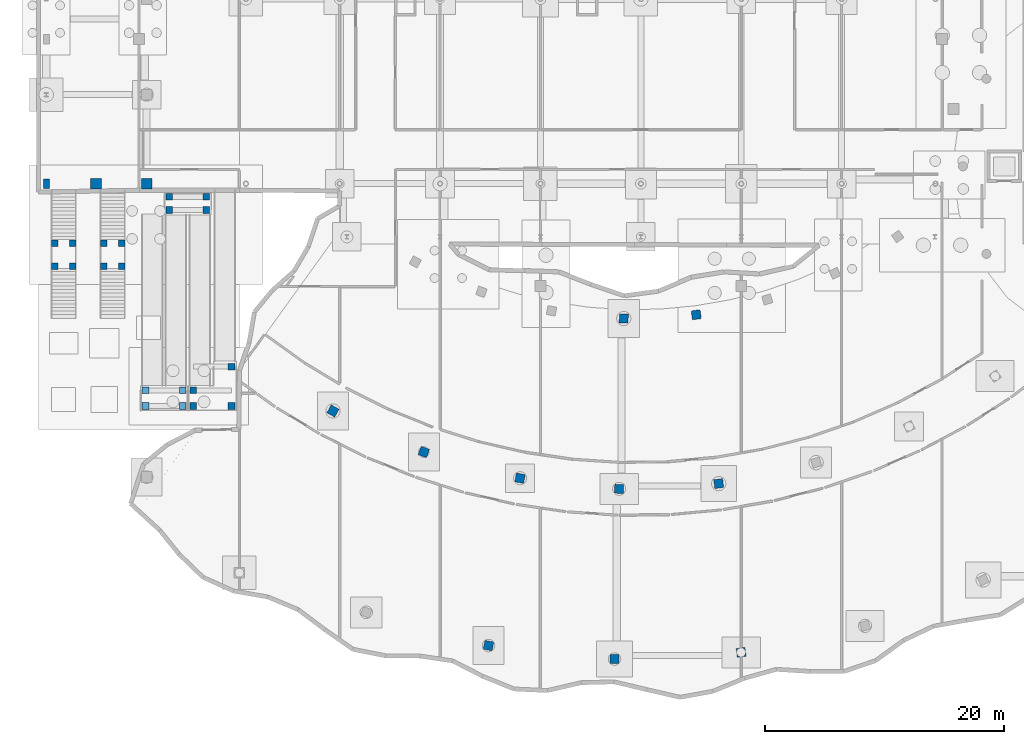
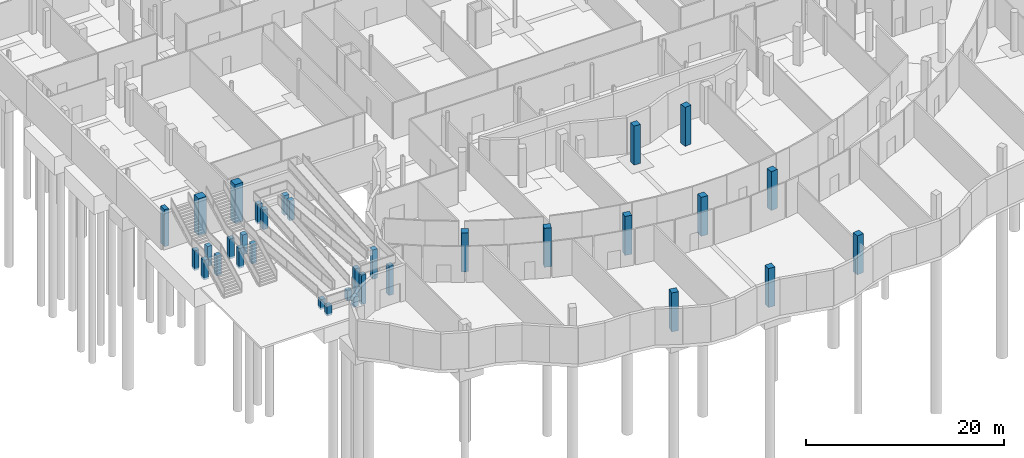
# One storey, part 10 of 45: 33 columns.
"""IFC4 building model written with IfcOpenShell, lengths in metres."""

from ifc_helpers import new_model, si_unit, direction, frame, origin, origin_2d, place, context, subcontext, project, spatial, rectangle, extrude, material, material_profile, profile_set, type_object, element, save


model = new_model("IFC4")

# Units and contexts
model_context = context("Model", 3, precision=1e-05, world=origin(), true_north=direction((0.0, 1.0)))
body_context = subcontext(model_context, "Body", "Model", "MODEL_VIEW")
ifc_project = project(units=[si_unit("LENGTHUNIT", "METRE"), si_unit("AREAUNIT", "SQUARE_METRE"), si_unit("VOLUMEUNIT", "CUBIC_METRE"), si_unit("PLANEANGLEUNIT", "RADIAN"), si_unit("MASSUNIT", "GRAM", prefix="KILO")], contexts=[model_context])

# Site, building, storey
site_placement = place(None, origin())
site = spatial("IfcSite", under=ifc_project, at=site_placement, CompositionType="ELEMENT")
building_placement = place(site_placement, origin())
building = spatial("IfcBuilding", under=site, at=building_placement, Name="Selatvlak General Hospital", CompositionType="ELEMENT")
storey_placement = place(building_placement, frame((0.0, 0.0, -4.800048828125)))
storey = spatial("IfcBuildingStorey", under=building, at=storey_placement, Name="B1", CompositionType="ELEMENT", Elevation=-4.800048828125)

# Columns
ifc_material_1 = material(Name="Concrete C40/50", Category="concrete")
ifc_material_profile_1 = material_profile(ifc_material_1, rectangle(XDim=0.550048828125, YDim=0.550048828125, at=origin_2d()), Name="RC-COL 550x550")
ifc_profile_set_1 = profile_set([ifc_material_profile_1], Name="Concrete C40/50")
column_type_1 = type_object("IfcColumnType", Name="COL-RC55", PredefinedType="COLUMN", material=ifc_profile_set_1)
for number, where, z_axis, x_axis, name in (
    (1, (7.35009765625, 45.64990234375, -0.244873046875), (0.0, 0.0, 1.0), (1.0, 0.0, 0.0), "Column 087 on B1"),
    (2, (8.85009765625, 45.64990234375, -0.244873046875), (0.0, 0.0, 1.0), (1.0, 0.0, 0.0), "Column 088 on B1"),
    (3, (7.35009765625, 47.550048828125, -0.244873046875), (0.0, 0.0, 1.0), (1.0, 0.0, 0.0), "Column 089 on B1"),
    (4, (8.85009765625, 47.550048828125, -0.244873046875), (0.0, 0.0, 1.0), (1.0, 0.0, 0.0), "Column 090 on B1"),
    (5, (11.449951171875, 45.64990234375, -0.244873046875), (0.0, 0.0, 1.0), (1.0, 0.0, 0.0), "Column 091 on B1"),
    (6, (12.949951171875, 45.64990234375, -0.244873046875), (0.0, 0.0, 1.0), (1.0, 0.0, 0.0), "Column 092 on B1"),
    (7, (11.449951171875, 47.550048828125, -0.244873046875), (0.0, 0.0, 1.0), (1.0, 0.0, 0.0), "Column 093 on B1"),
    (8, (12.949951171875, 47.550048828125, -0.244873046875), (0.0, 0.0, 1.0), (1.0, 0.0, 0.0), "Column 094 on B1"),
):
    element("IfcColumn", number, at=place(storey_placement, frame(where, z_axis=z_axis, x_axis=x_axis)), inside=storey, type_object=column_type_1, Name=name, PredefinedType="COLUMN", context=body_context, shape_type="SweptSolid", body=[
        extrude(rectangle(XDim=0.550048828125, YDim=0.550048828125, at=origin_2d()), origin(), (0.0, 0.0, 1.0), 2.44482421875),
    ])
for number, where, z_axis, x_axis, name in (
    (9, (14.949951171875, 33.949951171875, -0.244873046875), (0.0, 0.0, 1.0), (1.0, 0.0, 0.0), "Column 095 on B1"),
    (10, (18.050048828125, 33.949951171875, -0.244873046875), (0.0, 0.0, 1.0), (1.0, 0.0, 0.0), "Column 096 on B1"),
    (11, (14.949951171875, 35.25, -0.244873046875), (0.0, 0.0, 1.0), (1.0, 0.0, 0.0), "Column 097 on B1"),
    (12, (18.050048828125, 35.25, -0.244873046875), (0.0, 0.0, 1.0), (1.0, 0.0, 0.0), "Column 098 on B1"),
):
    element("IfcColumn", number, at=place(storey_placement, frame(where, z_axis=z_axis, x_axis=x_axis)), inside=storey, type_object=column_type_1, Name=name, PredefinedType="COLUMN", context=body_context, shape_type="SweptSolid", body=[
        extrude(rectangle(XDim=0.550048828125, YDim=0.550048828125, at=origin_2d()), origin(), (0.0, 0.0, 1.0), 1.224853515625),
    ])
for number, where, z_axis, x_axis, name in (
    (13, (16.949951171875, 50.35009765625, -0.244873046875), (0.0, 0.0, 1.0), (1.0, 0.0, 0.0), "Column 099 on B1"),
    (14, (20.050048828125, 50.35009765625, -0.244873046875), (0.0, 0.0, 1.0), (1.0, 0.0, 0.0), "Column 100 on B1"),
    (15, (16.949951171875, 51.449951171875, -0.244873046875), (0.0, 0.0, 1.0), (1.0, 0.0, 0.0), "Column 101 on B1"),
    (16, (20.050048828125, 51.449951171875, -0.244873046875), (0.0, 0.0, 1.0), (1.0, 0.0, 0.0), "Column 102 on B1"),
):
    element("IfcColumn", number, at=place(storey_placement, frame(where, z_axis=z_axis, x_axis=x_axis)), inside=storey, type_object=column_type_1, Name=name, PredefinedType="COLUMN", context=body_context, shape_type="SweptSolid", body=[
        extrude(rectangle(XDim=0.550048828125, YDim=0.550048828125, at=origin_2d()), origin(), (0.0, 0.0, 1.0), 2.4248046875),
    ])
for number, where, z_axis, x_axis, name in (
    (17, (18.949951171875, 33.949951171875, -0.244873046875), (0.0, 0.0, 1.0), (1.0, 0.0, 0.0), "Column 103 on B1"),
    (18, (22.14990234375, 33.949951171875, -0.244873046875), (0.0, 0.0, 1.0), (1.0, 0.0, 0.0), "Column 104 on B1"),
    (19, (18.949951171875, 35.25, -0.244873046875), (0.0, 0.0, 1.0), (1.0, 0.0, 0.0), "Column 105 on B1"),
    (20, (22.14990234375, 37.25, -0.244873046875), (0.0, 0.0, 1.0), (1.0, 0.0, 0.0), "Column 106 on B1"),
):
    element("IfcColumn", number, at=place(storey_placement, frame(where, z_axis=z_axis, x_axis=x_axis)), inside=storey, type_object=column_type_1, Name=name, PredefinedType="COLUMN", context=body_context, shape_type="SweptSolid", body=[
        extrude(rectangle(XDim=0.550048828125, YDim=0.550048828125, at=origin_2d()), origin(), (0.0, 0.0, 1.0), 3.625),
    ])
ifc_material_2 = material(Name="Concrete C50/60", Category="concrete")
ifc_material_profile_2 = material_profile(ifc_material_2, rectangle(XDim=0.75, YDim=0.75, at=origin_2d()), Name="RC-COL 750x750")
ifc_profile_set_2 = profile_set([ifc_material_profile_2], Name="Concrete C50/60")
column_type_2 = type_object("IfcColumnType", Name="COL-RC75", PredefinedType="COLUMN", material=ifc_profile_set_2)
for number, where, z_axis, x_axis, name in (
    (21, (30.637939453125, 33.531982421875, 0.0), (0.0, 0.0, 1.0), (0.483007324118, 0.875616311434, 0.0), "Column 315 on B1"),
    (22, (38.239013671875, 30.095947265625, 0.0), (0.0, 0.0, 1.0), (0.338261654325, 0.941052099096, 0.0), "Column 317 on B1"),
    (23, (46.2880859375, 27.906005859375, 0.0), (0.0, 0.0, 1.0), (0.184997729111, 0.982738948156, 0.0), "Column 320 on B1"),
    (24, (43.652099609375, 13.902099609375, 0.0), (0.0, 0.0, 1.0), (0.184997729111, 0.982738948156, 0.0), "Column 321 on B1"),
    (25, (54.968017578125, 41.262939453125, 0.0), (0.0, 0.0, 1.0), (0.027066750718, 0.999633628389, 0.0), "Column 322 on B1"),
    (26, (54.58203125, 27.01904296875, 0.0), (0.0, 0.0, 1.0), (0.027066750718, 0.999633628389, 0.0), "Column 323 on B1"),
    (27, (54.196044921875, 12.77490234375, 0.0), (0.0, 0.0, 1.0), (0.027066750718, 0.999633628389, 0.0), "Column 324 on B1"),
    (28, (61.034912109375, 41.5830078125, 0.0), (0.0, 0.0, 1.0), (-0.131737372908, 0.991284653659, 0.0), "Column 325 on B1"),
    (29, (62.912109375, 27.45703125, 0.0), (0.0, 0.0, 1.0), (-0.131737372908, 0.991284653659, 0.0), "Column 326 on B1"),
    (30, (64.7890625, 13.3310546875, 0.0), (0.0, 0.0, 1.0), (-0.131737372908, 0.991284653659, 0.0), "Column 327 on B1"),
):
    element("IfcColumn", number, at=place(storey_placement, frame(where, z_axis=z_axis, x_axis=x_axis)), inside=storey, type_object=column_type_2, Name=name, PredefinedType="COLUMN", context=body_context, shape_type="SweptSolid", body=[
        extrude(rectangle(XDim=0.75, YDim=0.75, at=origin_2d()), origin(), (0.0, 0.0, 1.0), 4.800048828125),
    ])
ifc_material_profile_3 = material_profile(ifc_material_2, rectangle(XDim=0.5, YDim=0.800048828125, at=origin_2d()), Name="RC-COL 800x500")
ifc_profile_set_3 = profile_set([ifc_material_profile_3], Name="Concrete C50/60")
column_type_3 = type_object("IfcColumnType", Name="COL-RC85", PredefinedType="COLUMN", material=ifc_profile_set_3)
column_1_placement = place(storey_placement, frame((6.64990234375, 52.550048828125, 0.0), z_axis=(0.0, 0.0, 1.0), x_axis=(1.0, 0.0, 0.0)))
element("IfcColumn", 31, at=column_1_placement, inside=storey, type_object=column_type_3, Name="Column 071 on B1", PredefinedType="COLUMN", context=body_context, shape_type="SweptSolid", body=[
    extrude(rectangle(XDim=0.5, YDim=0.800048828125, at=origin_2d()), origin(), (0.0, 0.0, 1.0), 4.554931640625),
])
ifc_material_profile_4 = material_profile(ifc_material_2, rectangle(XDim=0.89990234375, YDim=0.89990234375, at=origin_2d()), Name="RC-COL 900x900")
ifc_profile_set_4 = profile_set([ifc_material_profile_4], Name="Concrete C50/60")
column_type_4 = type_object("IfcColumnType", Name="COL-RC90", PredefinedType="COLUMN", material=ifc_profile_set_4)
column_2_placement = place(storey_placement, frame((15.050048828125, 52.550048828125, 0.0), z_axis=(0.0, 0.0, 1.0), x_axis=(1.0, 0.0, 0.0)))
element("IfcColumn", 32, at=column_2_placement, inside=storey, type_object=column_type_4, Name="Column 060 on B1", PredefinedType="COLUMN", context=body_context, shape_type="SweptSolid", body=[
    extrude(rectangle(XDim=0.89990234375, YDim=0.89990234375, at=origin_2d()), origin(), (0.0, 0.0, 1.0), 4.800048828125),
])
column_3_placement = place(storey_placement, frame((10.800048828125, 52.550048828125, 0.0), z_axis=(0.0, 0.0, 1.0), x_axis=(1.0, 0.0, 0.0)))
element("IfcColumn", 33, at=column_3_placement, inside=storey, type_object=column_type_4, Name="Column 072 on B1", PredefinedType="COLUMN", context=body_context, shape_type="SweptSolid", body=[
    extrude(rectangle(XDim=0.89990234375, YDim=0.89990234375, at=origin_2d()), origin(), (0.0, 0.0, 1.0), 4.554931640625),
])

save(model, "model.ifc")
